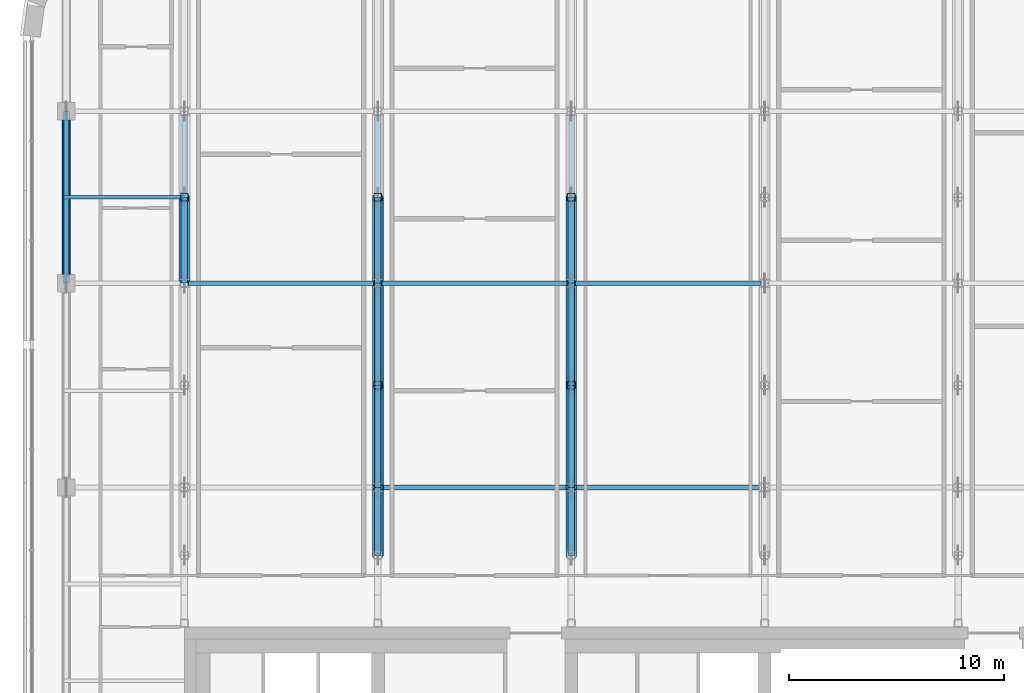
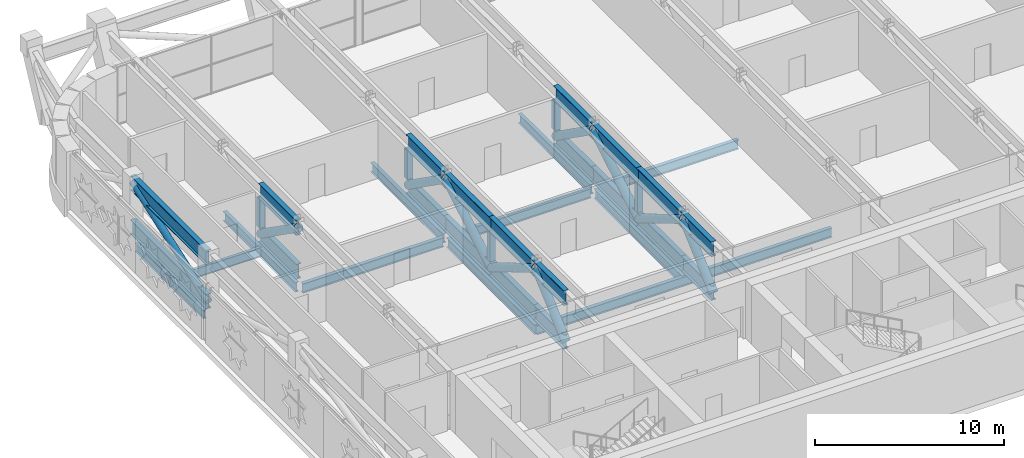
# One storey, part 6 of 28: 35 members, 11 beams.
"""IFC4 building model written with IfcOpenShell, lengths in metres."""

import ifcopenshell
import ifcopenshell.guid

model = None  # the IFC model being written
_history = None  # IfcOwnerHistory: only IFC2X3 demands one
_inside = {}  # id of a spatial element -> (the spatial element, [elements in it])
_under = {}  # id of a project, library or spatial element -> (it, [spatial elements below it])
_declared = {}  # id of a project -> (the project, [libraries it declares])
_typed = {}  # id of a type object -> (the type object, [elements of that type])
_made_of = {}  # id of a material, layer set ... -> (it, [elements and type objects made of it])


def new_model(schema):
    """Start an empty IFC model of exactly this schema.

    Asked for "IFC4X3", IfcOpenShell would pick the latest addendum, in which some entities
    have other attributes; the version numbers below select the first issue.
    IFC2X3 requires an IfcOwnerHistory on every rooted entity: one is made here for all.
    """
    global model, _history
    if schema == "IFC4X3":
        model = ifcopenshell.file(schema_version=(4, 3, 0, 0))
    else:
        model = ifcopenshell.file(schema=schema)
    _inside.clear()
    _under.clear()
    _declared.clear()
    _typed.clear()
    _made_of.clear()
    _history = None
    if model.schema == "IFC2X3":
        org = make("IfcOrganization", Name="unknown")
        user = make(
            "IfcPersonAndOrganization",
            ThePerson=make("IfcPerson", FamilyName="unknown"),
            TheOrganization=org,
        )
        app = make(
            "IfcApplication",
            ApplicationDeveloper=org,
            Version="unknown",
            ApplicationFullName="unknown",
            ApplicationIdentifier="unknown",
        )
        _history = make(
            "IfcOwnerHistory",
            OwningUser=user,
            OwningApplication=app,
            ChangeAction="ADDED",
            CreationDate=0,
        )
    return model


def make(cls, **values):
    """One entity of the class cls with the attributes given. An attribute that is None is left unset."""
    return model.create_entity(
        cls, **{name: value for name, value in values.items() if value is not None}
    )


def rooted(cls, **values):
    """An entity with a GlobalId (a new one), such as an element, a storey or a relation."""
    return make(cls, GlobalId=ifcopenshell.guid.new(), OwnerHistory=_history, **values)


def si_unit(unit_type, name, prefix=None):
    """IfcSIUnit, for example si_unit("LENGTHUNIT", "METRE", prefix="MILLI")."""
    return make("IfcSIUnit", UnitType=unit_type, Prefix=prefix, Name=name)


def assignment(units):
    """IfcUnitAssignment: the units of a project."""
    return None if units is None else make("IfcUnitAssignment", Units=units)


def point(xyz):
    """IfcCartesianPoint."""
    return None if xyz is None else make("IfcCartesianPoint", Coordinates=xyz)


def direction(xyz):
    """IfcDirection."""
    return None if xyz is None else make("IfcDirection", DirectionRatios=xyz)


def frame(location, z_axis=None, x_axis=None):
    """IfcAxis2Placement3D, a coordinate frame: its origin and axes. An axis left out is left unset."""
    return make(
        "IfcAxis2Placement3D",
        Location=point(location),
        Axis=direction(z_axis),
        RefDirection=direction(x_axis),
    )


def frame_2d(location, x_axis=None):
    """IfcAxis2Placement2D, a coordinate frame in the plane: its origin and x axis."""
    return make(
        "IfcAxis2Placement2D", Location=point(location), RefDirection=direction(x_axis)
    )


def origin():
    """The frame at (0, 0, 0) with its axes left unset."""
    return frame((0.0, 0.0, 0.0))


def origin_2d():
    """The frame at (0, 0) in the plane with its x axis left unset."""
    return frame_2d((0.0, 0.0))


def place(relative_to, where):
    """IfcLocalPlacement: puts the frame where relative to a parent placement (None: the world)."""
    return make(
        "IfcLocalPlacement", PlacementRelTo=relative_to, RelativePlacement=where
    )


def context(
    kind, dimensions, precision=None, world=None, true_north=None, identifier=None
):
    """IfcGeometricRepresentationContext, for example the 3D "Model" context."""
    return make(
        "IfcGeometricRepresentationContext",
        ContextIdentifier=identifier,
        ContextType=kind,
        CoordinateSpaceDimension=dimensions,
        Precision=precision,
        WorldCoordinateSystem=world,
        TrueNorth=true_north,
    )


def subcontext(parent, identifier, kind, view, scale=None):
    """IfcGeometricRepresentationSubContext, for example "Body" below "Model"."""
    return make(
        "IfcGeometricRepresentationSubContext",
        ContextIdentifier=identifier,
        ContextType=kind,
        ParentContext=parent,
        TargetScale=scale,
        TargetView=view,
    )


def project(units=None, contexts=None):
    """IfcProject with its units and contexts."""
    return rooted(
        "IfcProject",
        Name="project",
        RepresentationContexts=contexts,
        UnitsInContext=assignment(units),
    )


def spatial(cls, under=None, at=None, **own):
    """A site, building, storey or space (cls), placed at a placement, below another one or the project."""
    s = rooted(cls, ObjectPlacement=at, **own)
    if under is not None:
        _under.setdefault(under.id(), (under, []))[1].append(s)
    return s


def profile(cls, at=None, kind="AREA", **sizes):
    """A parametric profile (cls). Its sizes go by their IFC names, for example OverallWidth=200.0."""
    return make(cls, ProfileType=kind, Position=at, **sizes)


def hollow_rectangle(**sizes):
    """IfcRectangleHollowProfileDef."""
    return profile("IfcRectangleHollowProfileDef", **sizes)


def hollow_circle(**sizes):
    """IfcCircleHollowProfileDef."""
    return profile("IfcCircleHollowProfileDef", **sizes)


def i_section(**sizes):
    """IfcIShapeProfileDef."""
    return profile("IfcIShapeProfileDef", **sizes)


def extrude(swept, where, along, depth):
    """IfcExtrudedAreaSolid: the profile swept, set in the frame where, extruded along a direction by depth."""
    return make(
        "IfcExtrudedAreaSolid",
        SweptArea=swept,
        Position=where,
        ExtrudedDirection=direction(along),
        Depth=depth,
    )


def shape(context_of_items, identifier, shape_type, items):
    """IfcShapeRepresentation: the items that make up one representation, for example the "Body"."""
    return make(
        "IfcShapeRepresentation",
        ContextOfItems=context_of_items,
        RepresentationIdentifier=identifier,
        RepresentationType=shape_type,
        Items=items,
    )


def material(Name=None, Category=None):
    """IfcMaterial."""
    return make("IfcMaterial", Name=Name, Category=Category)


def material_profile(
    of_material, cross_section, Name=None, Category=None, Priority=None
):
    """IfcMaterialProfile: a cross section and its material."""
    return make(
        "IfcMaterialProfile",
        Name=Name,
        Material=of_material,
        Profile=cross_section,
        Priority=Priority,
        Category=Category,
    )


def profile_set(profiles, Name=None, composite=None):
    """IfcMaterialProfileSet."""
    return make(
        "IfcMaterialProfileSet",
        Name=Name,
        MaterialProfiles=profiles,
        CompositeProfile=composite,
    )


def made_of(thing, what):
    """Note that an element or type object is made of a material, layer set ...; save() writes the relation."""
    if what is not None:
        _made_of.setdefault(what.id(), (what, []))[1].append(thing)
    return thing


def type_object(cls, material=None, **own):
    """A type object (cls), such as IfcWallType, which elements share."""
    return made_of(rooted(cls, **own), material)


def element(
    cls,
    number,
    at=None,
    inside=None,
    cuts=None,
    type_object=None,
    material=None,
    context=None,
    identifier="Body",
    shape_type=None,
    held_by="IfcProductDefinitionShape",
    body=None,
    shapes=None,
    **own,
):
    """One element of the class cls, such as IfcWall. Its Tag is "e" and its number.

    at: its placement. inside: the storey or other place that contains it. cuts: it is an
    opening in that element (IfcRelVoidsElement). A single representation is given by context,
    identifier, shape_type and body (its items); several are given by shapes. held_by: the class
    of the entity that holds the representations. save() writes the other relations.
    """
    e = rooted(cls, Tag="e%d" % number, ObjectPlacement=at, **own)
    if body is not None:
        shapes = [shape(context, identifier, shape_type, body)]
    if shapes is not None:
        e.Representation = make(held_by, Representations=shapes)
    if inside is not None:
        _inside.setdefault(inside.id(), (inside, []))[1].append(e)
    if cuts is not None:
        rooted(
            "IfcRelVoidsElement", RelatingBuildingElement=cuts, RelatedOpeningElement=e
        )
    if type_object is not None:
        _typed.setdefault(type_object.id(), (type_object, []))[1].append(e)
    return made_of(e, material)


def aggregate(whole, parts):
    """IfcRelAggregates: a whole, such as a stair, and the parts it consists of."""
    return rooted("IfcRelAggregates", RelatingObject=whole, RelatedObjects=parts)


def save(model, path):
    """Write the relations noted so far, then the file.

    IfcRelAggregates (storeys below a building ...), IfcRelContainedInSpatialStructure (elements
    in a storey), IfcRelDefinesByType, IfcRelAssociatesMaterial and IfcRelDeclares: one each for
    every whole, place, type object, material and project.
    """
    for whole, parts in _under.values():
        aggregate(whole, parts)
    for where, things in _inside.values():
        rooted(
            "IfcRelContainedInSpatialStructure",
            RelatedElements=things,
            RelatingStructure=where,
        )
    for kind, things in _typed.values():
        rooted("IfcRelDefinesByType", RelatedObjects=things, RelatingType=kind)
    for what, things in _made_of.values():
        rooted("IfcRelAssociatesMaterial", RelatedObjects=things, RelatingMaterial=what)
    for by, libraries in _declared.values():
        rooted("IfcRelDeclares", RelatingContext=by, RelatedDefinitions=libraries)
    model.write(path)


model = new_model("IFC4")

# Units and contexts
model_context = context("Model", 3, precision=1e-05, world=origin(), true_north=direction((0.0, 1.0)))
body_context = subcontext(model_context, "Body", "Model", "MODEL_VIEW")
ifc_project = project(units=[si_unit("LENGTHUNIT", "METRE"), si_unit("AREAUNIT", "SQUARE_METRE"), si_unit("VOLUMEUNIT", "CUBIC_METRE"), si_unit("PLANEANGLEUNIT", "RADIAN"), si_unit("MASSUNIT", "GRAM", prefix="KILO")], contexts=[model_context])

# Site, building, storey
site_placement = place(None, origin())
site = spatial("IfcSite", under=ifc_project, at=site_placement, CompositionType="ELEMENT")
building_placement = place(site_placement, origin())
building = spatial("IfcBuilding", under=site, at=building_placement, Name="Zellij Exchange Tower", CompositionType="ELEMENT")
storey_placement = place(building_placement, frame((0.0, 0.0, 268.5)))
storey = spatial("IfcBuildingStorey", under=building, at=storey_placement, Name="L63", CompositionType="ELEMENT", Elevation=268.5)

# Beam
ifc_material_1 = material(Name="Structural steel ASTM A992 Gr 50", Category="steel")
ifc_material_profile_1 = material_profile(ifc_material_1, i_section(OverallWidth=0.177978515625, OverallDepth=0.599365234375, WebThickness=0.010009765625, FlangeThickness=0.012939453125, at=origin_2d()), Name="W24x55")
ifc_profile_set_1 = profile_set([ifc_material_profile_1], Name="Structural steel ASTM A992 Gr 50")
beam_type_1 = type_object("IfcBeamType", Name="STR-BEAM W24x55", PredefinedType="BEAM", material=ifc_profile_set_1)
beam_1_placement = place(storey_placement, frame((-32.6044921875, 18.0, -0.649658203125), z_axis=(1.0, 0.0, 0.0), x_axis=(0.0, 1.0, 0.0)))
element("IfcBeam", 1, at=beam_1_placement, inside=storey, type_object=beam_type_1, Name="B4", PredefinedType="BEAM", context=body_context, shape_type="SweptSolid", body=[
    extrude(i_section(OverallWidth=0.177978515625, OverallDepth=0.599365234375, WebThickness=0.010009765625, FlangeThickness=0.012939453125, at=origin_2d()), origin(), (0.0, 0.0, 1.0), 5.6044921875),
])

# Members
ifc_material_profile_2 = material_profile(ifc_material_1, i_section(OverallWidth=0.307373046875, OverallDepth=0.9423828125, WebThickness=0.022216796875, FlangeThickness=0.039794921875, at=origin_2d()), Name="W36x232")
ifc_profile_set_2 = profile_set([ifc_material_profile_2], Name="Structural steel ASTM A992 Gr 50")
member_type_1 = type_object("IfcMemberType", Name="STR-BELT TRUSS CHORD W36x232", PredefinedType="CHORD", material=ifc_profile_set_2)
for number, where, z_axis, x_axis, name in (
    (2, (-32.5, 14.0, 0.47119140625), (0.0, 1.0, 0.0), (-1.0, 0.0, 0.0), "BT1"),
    (3, (-32.5, 14.0, 3.308837890625), (0.0, 1.0, 0.0), (-1.0, 0.0, 0.0), "BT1"),
):
    element("IfcMember", number, at=place(storey_placement, frame(where, z_axis=z_axis, x_axis=x_axis)), inside=storey, type_object=member_type_1, Name=name, PredefinedType="CHORD", context=body_context, shape_type="SweptSolid", body=[
        extrude(i_section(OverallWidth=0.307373046875, OverallDepth=0.9423828125, WebThickness=0.022216796875, FlangeThickness=0.039794921875, at=origin_2d()), origin(), (0.0, 0.0, 1.0), 8.0),
    ])
ifc_material_2 = material(Name="Structural steel ASTM A500 Gr C", Category="steel")
ifc_material_profile_3 = material_profile(ifc_material_2, hollow_circle(Radius=0.203125, WallThickness=0.01171875, at=origin_2d()), Name="STR-BELT TRUSS DIAGONAL HSS16.000x0.500")
ifc_profile_set_3 = profile_set([ifc_material_profile_3], Name="Structural steel ASTM A500 Gr C")
member_type_2 = type_object("IfcMemberType", Name="STR-BELT TRUSS DIAGONAL HSS16.000x0.500", PredefinedType="BRACE", material=ifc_profile_set_3)
member_1_placement = place(storey_placement, frame((-32.5, 14.0, 0.47119140625), z_axis=(0.0, 0.942467213313, 0.334298596812), x_axis=(-1.0, 0.0, 0.0)))
element("IfcMember", 4, at=member_1_placement, inside=storey, type_object=member_type_2, Name="BT2", PredefinedType="BRACE", context=body_context, shape_type="SweptSolid", body=[
    extrude(hollow_circle(Radius=0.203125, WallThickness=0.01171875, at=origin_2d()), origin(), (0.0, 0.0, 1.0), 8.48828125),
])

# Beams
ifc_material_profile_4 = material_profile(ifc_material_1, i_section(OverallWidth=0.209228515625, OverallDepth=0.533447265625, WebThickness=0.01025390625, FlangeThickness=0.015625, at=origin_2d()), Name="W21x62")
ifc_profile_set_4 = profile_set([ifc_material_profile_4], Name="Structural steel ASTM A992 Gr 50")
beam_type_2 = type_object("IfcBeamType", Name="STR-EDGE GIRDER W21x62", PredefinedType="BEAM", material=ifc_profile_set_4)
beam_2_placement = place(storey_placement, frame((-32.5, 14.39990234375, -0.61669921875), z_axis=(0.0, 1.0, 0.0), x_axis=(-1.0, 0.0, 0.0)))
element("IfcBeam", 5, at=beam_2_placement, inside=storey, type_object=beam_type_2, Name="EB3", PredefinedType="BEAM", context=body_context, shape_type="SweptSolid", body=[
    extrude(i_section(OverallWidth=0.209228515625, OverallDepth=0.533447265625, WebThickness=0.01025390625, FlangeThickness=0.015625, at=origin_2d()), origin(), (0.0, 0.0, 1.0), 7.2001953125),
])
ifc_material_profile_5 = material_profile(ifc_material_1, i_section(OverallWidth=0.228271484375, OverallDepth=0.607177734375, WebThickness=0.01123046875, FlangeThickness=0.017333984375, at=origin_2d()), Name="W24x76")
ifc_profile_set_5 = profile_set([ifc_material_profile_5], Name="Structural steel ASTM A992 Gr 50")
beam_type_3 = type_object("IfcBeamType", Name="STR-GIRDER W24x76", PredefinedType="BEAM", material=ifc_profile_set_5)
beam_3_placement = place(storey_placement, frame((-18.0, 4.5, -0.653564453125), z_axis=(1.0, 0.0, 0.0), x_axis=(0.0, 1.0, 0.0)))
element("IfcBeam", 6, at=beam_3_placement, inside=storey, type_object=beam_type_3, Name="G2", PredefinedType="BEAM", context=body_context, shape_type="SweptSolid", body=[
    extrude(i_section(OverallWidth=0.228271484375, OverallDepth=0.607177734375, WebThickness=0.01123046875, FlangeThickness=0.017333984375, at=origin_2d()), origin(), (0.0, 0.0, 1.0), 18.0),
])
for number, where, z_axis, x_axis, name in (
    (7, (-26.800537109375, 14.0, -0.653564453125), (1.0, 0.0, 0.0), (0.0, 1.0, 0.0), "G2"),
    (8, (-17.800537109375, 14.0, -0.653564453125), (1.0, 0.0, 0.0), (0.0, 1.0, 0.0), "G2"),
    (9, (-8.800537109375, 14.0, -0.653564453125), (1.0, 0.0, 0.0), (0.0, 1.0, 0.0), "G2"),
):
    element("IfcBeam", number, at=place(storey_placement, frame(where, z_axis=z_axis, x_axis=x_axis)), inside=storey, type_object=beam_type_3, Name=name, PredefinedType="BEAM", context=body_context, shape_type="SweptSolid", body=[
        extrude(i_section(OverallWidth=0.228271484375, OverallDepth=0.607177734375, WebThickness=0.01123046875, FlangeThickness=0.017333984375, at=origin_2d()), origin(), (0.0, 0.0, 1.0), 8.60107421875),
    ])
beam_4_placement = place(storey_placement, frame((-27.0, 14.193115234375, -0.653564453125), z_axis=(0.0, 1.0, 0.0), x_axis=(-1.0, 0.0, 0.0)))
element("IfcBeam", 10, at=beam_4_placement, inside=storey, type_object=beam_type_3, Name="G2", PredefinedType="BEAM", context=body_context, shape_type="SweptSolid", body=[
    extrude(i_section(OverallWidth=0.228271484375, OverallDepth=0.607177734375, WebThickness=0.01123046875, FlangeThickness=0.017333984375, at=origin_2d()), origin(), (0.0, 0.0, 1.0), 7.61376953125),
])
beam_5_placement = place(storey_placement, frame((-18.0, 4.5, -0.653564453125), z_axis=(0.0, 1.0, 0.0), x_axis=(-1.0, 0.0, 0.0)))
element("IfcBeam", 11, at=beam_5_placement, inside=storey, type_object=beam_type_3, Name="G2", PredefinedType="BEAM", context=body_context, shape_type="SweptSolid", body=[
    extrude(i_section(OverallWidth=0.228271484375, OverallDepth=0.607177734375, WebThickness=0.01123046875, FlangeThickness=0.017333984375, at=origin_2d()), origin(), (0.0, 0.0, 1.0), 9.306884765625),
])
beam_6_placement = place(storey_placement, frame((-18.0, 14.193115234375, -0.653564453125), z_axis=(0.0, 1.0, 0.0), x_axis=(-1.0, 0.0, 0.0)))
element("IfcBeam", 12, at=beam_6_placement, inside=storey, type_object=beam_type_3, Name="G2", PredefinedType="BEAM", context=body_context, shape_type="SweptSolid", body=[
    extrude(i_section(OverallWidth=0.228271484375, OverallDepth=0.607177734375, WebThickness=0.01123046875, FlangeThickness=0.017333984375, at=origin_2d()), origin(), (0.0, 0.0, 1.0), 7.61376953125),
])
beam_7_placement = place(storey_placement, frame((-9.0, 4.5, -0.653564453125), z_axis=(0.0, 1.0, 0.0), x_axis=(-1.0, 0.0, 0.0)))
element("IfcBeam", 13, at=beam_7_placement, inside=storey, type_object=beam_type_3, Name="G2", PredefinedType="BEAM", context=body_context, shape_type="SweptSolid", body=[
    extrude(i_section(OverallWidth=0.228271484375, OverallDepth=0.607177734375, WebThickness=0.01123046875, FlangeThickness=0.017333984375, at=origin_2d()), origin(), (0.0, 0.0, 1.0), 9.306884765625),
])
beam_8_placement = place(storey_placement, frame((-9.0, 14.193115234375, -0.653564453125), z_axis=(0.0, 1.0, 0.0), x_axis=(-1.0, 0.0, 0.0)))
element("IfcBeam", 14, at=beam_8_placement, inside=storey, type_object=beam_type_3, Name="G2", PredefinedType="BEAM", context=body_context, shape_type="SweptSolid", body=[
    extrude(i_section(OverallWidth=0.228271484375, OverallDepth=0.607177734375, WebThickness=0.01123046875, FlangeThickness=0.017333984375, at=origin_2d()), origin(), (0.0, 0.0, 1.0), 7.61376953125),
])

# Members
ifc_material_3 = material(Name="Structural steel ASTM A913 Gr 65", Category="steel")
ifc_material_profile_6 = material_profile(ifc_material_3, i_section(OverallWidth=0.2998046875, OverallDepth=0.965087890625, WebThickness=0.01904296875, FlangeThickness=0.0361328125, at=origin_2d()), Name="W40x249")
ifc_profile_set_6 = profile_set([ifc_material_profile_6], Name="Structural steel ASTM A913 Gr 65")
member_type_3 = type_object("IfcMemberType", Name="STR-OUTRIGGER TRUSS CHORD W40x249", PredefinedType="CHORD", material=ifc_profile_set_6)
for number, where, z_axis, x_axis, name in (
    (15, (-27.0, 14.0, 3.29736328125), (0.0, 1.0, 0.0), (-1.0, 0.0, 0.0), "OT1"),
    (16, (-27.0, 14.0, 0.482666015625), (0.0, 1.0, 0.0), (-1.0, 0.0, 0.0), "OT1"),
):
    element("IfcMember", number, at=place(storey_placement, frame(where, z_axis=z_axis, x_axis=x_axis)), inside=storey, type_object=member_type_3, Name=name, PredefinedType="CHORD", context=body_context, shape_type="SweptSolid", body=[
        extrude(i_section(OverallWidth=0.2998046875, OverallDepth=0.965087890625, WebThickness=0.01904296875, FlangeThickness=0.0361328125, at=origin_2d()), origin(), (0.0, 0.0, 1.0), 4.0),
    ])
for number, where, z_axis, x_axis, name in (
    (17, (-18.0, 1.339111328125, 3.29736328125), (0.0, 1.0, 0.0), (-1.0, 0.0, 0.0), "OT1"),
    (18, (-18.0, 1.339111328125, 0.482666015625), (0.0, 1.0, 0.0), (-1.0, 0.0, 0.0), "OT1"),
):
    element("IfcMember", number, at=place(storey_placement, frame(where, z_axis=z_axis, x_axis=x_axis)), inside=storey, type_object=member_type_3, Name=name, PredefinedType="CHORD", context=body_context, shape_type="SweptSolid", body=[
        extrude(i_section(OverallWidth=0.2998046875, OverallDepth=0.965087890625, WebThickness=0.01904296875, FlangeThickness=0.0361328125, at=origin_2d()), origin(), (0.0, 0.0, 1.0), 3.160888671875),
    ])
for number, where, z_axis, x_axis, name in (
    (19, (-18.0, 4.5, 3.29736328125), (0.0, 1.0, 0.0), (-1.0, 0.0, 0.0), "OT1"),
    (20, (-18.0, 4.5, 0.482666015625), (0.0, 1.0, 0.0), (-1.0, 0.0, 0.0), "OT1"),
    (21, (-18.0, 9.25, 3.29736328125), (0.0, 1.0, 0.0), (-1.0, 0.0, 0.0), "OT1"),
    (22, (-18.0, 9.25, 0.482666015625), (0.0, 1.0, 0.0), (-1.0, 0.0, 0.0), "OT1"),
):
    element("IfcMember", number, at=place(storey_placement, frame(where, z_axis=z_axis, x_axis=x_axis)), inside=storey, type_object=member_type_3, Name=name, PredefinedType="CHORD", context=body_context, shape_type="SweptSolid", body=[
        extrude(i_section(OverallWidth=0.2998046875, OverallDepth=0.965087890625, WebThickness=0.01904296875, FlangeThickness=0.0361328125, at=origin_2d()), origin(), (0.0, 0.0, 1.0), 4.75),
    ])
for number, where, z_axis, x_axis, name in (
    (23, (-18.0, 14.0, 3.29736328125), (0.0, 1.0, 0.0), (-1.0, 0.0, 0.0), "OT1"),
    (24, (-18.0, 14.0, 0.482666015625), (0.0, 1.0, 0.0), (-1.0, 0.0, 0.0), "OT1"),
):
    element("IfcMember", number, at=place(storey_placement, frame(where, z_axis=z_axis, x_axis=x_axis)), inside=storey, type_object=member_type_3, Name=name, PredefinedType="CHORD", context=body_context, shape_type="SweptSolid", body=[
        extrude(i_section(OverallWidth=0.2998046875, OverallDepth=0.965087890625, WebThickness=0.01904296875, FlangeThickness=0.0361328125, at=origin_2d()), origin(), (0.0, 0.0, 1.0), 4.0),
    ])
for number, where, z_axis, x_axis, name in (
    (25, (-9.0, 1.339111328125, 3.29736328125), (0.0, 1.0, 0.0), (-1.0, 0.0, 0.0), "OT1"),
    (26, (-9.0, 1.339111328125, 0.482666015625), (0.0, 1.0, 0.0), (-1.0, 0.0, 0.0), "OT1"),
):
    element("IfcMember", number, at=place(storey_placement, frame(where, z_axis=z_axis, x_axis=x_axis)), inside=storey, type_object=member_type_3, Name=name, PredefinedType="CHORD", context=body_context, shape_type="SweptSolid", body=[
        extrude(i_section(OverallWidth=0.2998046875, OverallDepth=0.965087890625, WebThickness=0.01904296875, FlangeThickness=0.0361328125, at=origin_2d()), origin(), (0.0, 0.0, 1.0), 3.160888671875),
    ])
for number, where, z_axis, x_axis, name in (
    (27, (-9.0, 4.5, 3.29736328125), (0.0, 1.0, 0.0), (-1.0, 0.0, 0.0), "OT1"),
    (28, (-9.0, 4.5, 0.482666015625), (0.0, 1.0, 0.0), (-1.0, 0.0, 0.0), "OT1"),
    (29, (-9.0, 9.25, 3.29736328125), (0.0, 1.0, 0.0), (-1.0, 0.0, 0.0), "OT1"),
    (30, (-9.0, 9.25, 0.482666015625), (0.0, 1.0, 0.0), (-1.0, 0.0, 0.0), "OT1"),
):
    element("IfcMember", number, at=place(storey_placement, frame(where, z_axis=z_axis, x_axis=x_axis)), inside=storey, type_object=member_type_3, Name=name, PredefinedType="CHORD", context=body_context, shape_type="SweptSolid", body=[
        extrude(i_section(OverallWidth=0.2998046875, OverallDepth=0.965087890625, WebThickness=0.01904296875, FlangeThickness=0.0361328125, at=origin_2d()), origin(), (0.0, 0.0, 1.0), 4.75),
    ])
for number, where, z_axis, x_axis, name in (
    (31, (-9.0, 14.0, 3.29736328125), (0.0, 1.0, 0.0), (-1.0, 0.0, 0.0), "OT1"),
    (32, (-9.0, 14.0, 0.482666015625), (0.0, 1.0, 0.0), (-1.0, 0.0, 0.0), "OT1"),
):
    element("IfcMember", number, at=place(storey_placement, frame(where, z_axis=z_axis, x_axis=x_axis)), inside=storey, type_object=member_type_3, Name=name, PredefinedType="CHORD", context=body_context, shape_type="SweptSolid", body=[
        extrude(i_section(OverallWidth=0.2998046875, OverallDepth=0.965087890625, WebThickness=0.01904296875, FlangeThickness=0.0361328125, at=origin_2d()), origin(), (0.0, 0.0, 1.0), 4.0),
    ])
ifc_material_profile_7 = material_profile(ifc_material_2, hollow_circle(Radius=0.25390625, WallThickness=0.01171875, at=origin_2d()), Name="STR-OUTRIGGER TRUSS DIAGONAL HSS20.000x0.500")
ifc_profile_set_7 = profile_set([ifc_material_profile_7], Name="Structural steel ASTM A500 Gr C")
member_type_4 = type_object("IfcMemberType", Name="STR-OUTRIGGER TRUSS DIAGONAL HSS20.000x0.500", PredefinedType="BRACE", material=ifc_profile_set_7)
member_2_placement = place(storey_placement, frame((-27.0, 14.0, 3.29736328125), z_axis=(0.0, 0.8178177303, -0.575477332314), x_axis=(-1.0, 0.0, 0.0)))
element("IfcMember", 33, at=member_2_placement, inside=storey, type_object=member_type_4, Name="OT2", PredefinedType="BRACE", context=body_context, shape_type="SweptSolid", body=[
    extrude(hollow_circle(Radius=0.25390625, WallThickness=0.01171875, at=origin_2d()), origin(), (0.0, 0.0, 1.0), 4.89111328125),
])
member_3_placement = place(storey_placement, frame((-18.0, 1.339111328125, 0.482666015625), z_axis=(0.0, 0.74682026199, 0.665025936548), x_axis=(-1.0, 0.0, 0.0)))
element("IfcMember", 34, at=member_3_placement, inside=storey, type_object=member_type_4, Name="OT2", PredefinedType="BRACE", context=body_context, shape_type="SweptSolid", body=[
    extrude(hollow_circle(Radius=0.25390625, WallThickness=0.01171875, at=origin_2d()), origin(), (0.0, 0.0, 1.0), 4.232421875),
])
for number, where, z_axis, x_axis, name in (
    (35, (-18.0, 4.5, 3.29736328125), (0.0, 0.860300870846, -0.509786633428), (-1.0, 0.0, 0.0), "OT2"),
    (36, (-18.0, 9.25, 0.482666015625), (0.0, 0.860300870846, 0.509786633428), (-1.0, 0.0, 0.0), "OT2"),
):
    element("IfcMember", number, at=place(storey_placement, frame(where, z_axis=z_axis, x_axis=x_axis)), inside=storey, type_object=member_type_4, Name=name, PredefinedType="BRACE", context=body_context, shape_type="SweptSolid", body=[
        extrude(hollow_circle(Radius=0.25390625, WallThickness=0.01171875, at=origin_2d()), origin(), (0.0, 0.0, 1.0), 5.521240234375),
    ])
member_4_placement = place(storey_placement, frame((-18.0, 14.0, 3.29736328125), z_axis=(0.0, 0.8178177303, -0.575477332314), x_axis=(-1.0, 0.0, 0.0)))
element("IfcMember", 37, at=member_4_placement, inside=storey, type_object=member_type_4, Name="OT2", PredefinedType="BRACE", context=body_context, shape_type="SweptSolid", body=[
    extrude(hollow_circle(Radius=0.25390625, WallThickness=0.01171875, at=origin_2d()), origin(), (0.0, 0.0, 1.0), 4.89111328125),
])
member_5_placement = place(storey_placement, frame((-9.0, 1.339111328125, 0.482666015625), z_axis=(0.0, 0.74682026199, 0.665025936548), x_axis=(-1.0, 0.0, 0.0)))
element("IfcMember", 38, at=member_5_placement, inside=storey, type_object=member_type_4, Name="OT2", PredefinedType="BRACE", context=body_context, shape_type="SweptSolid", body=[
    extrude(hollow_circle(Radius=0.25390625, WallThickness=0.01171875, at=origin_2d()), origin(), (0.0, 0.0, 1.0), 4.232421875),
])
for number, where, z_axis, x_axis, name in (
    (39, (-9.0, 4.5, 3.29736328125), (0.0, 0.860300870846, -0.509786633428), (-1.0, 0.0, 0.0), "OT2"),
    (40, (-9.0, 9.25, 0.482666015625), (0.0, 0.860300870846, 0.509786633428), (-1.0, 0.0, 0.0), "OT2"),
):
    element("IfcMember", number, at=place(storey_placement, frame(where, z_axis=z_axis, x_axis=x_axis)), inside=storey, type_object=member_type_4, Name=name, PredefinedType="BRACE", context=body_context, shape_type="SweptSolid", body=[
        extrude(hollow_circle(Radius=0.25390625, WallThickness=0.01171875, at=origin_2d()), origin(), (0.0, 0.0, 1.0), 5.521240234375),
    ])
member_6_placement = place(storey_placement, frame((-9.0, 14.0, 3.29736328125), z_axis=(0.0, 0.8178177303, -0.575477332314), x_axis=(-1.0, 0.0, 0.0)))
element("IfcMember", 41, at=member_6_placement, inside=storey, type_object=member_type_4, Name="OT2", PredefinedType="BRACE", context=body_context, shape_type="SweptSolid", body=[
    extrude(hollow_circle(Radius=0.25390625, WallThickness=0.01171875, at=origin_2d()), origin(), (0.0, 0.0, 1.0), 4.89111328125),
])
ifc_material_profile_8 = material_profile(ifc_material_2, hollow_rectangle(XDim=0.355712890625, YDim=0.355712890625, WallThickness=0.01171875, InnerFilletRadius=0.01171875, OuterFilletRadius=0.023681640625, at=origin_2d()), Name="STR-OUTRIGGER TRUSS POST HSS14x14x1/2")
ifc_profile_set_8 = profile_set([ifc_material_profile_8], Name="Structural steel ASTM A500 Gr C")
member_type_5 = type_object("IfcMemberType", Name="STR-OUTRIGGER TRUSS POST HSS14x14x1/2", PredefinedType="POST", material=ifc_profile_set_8)
for number, where, z_axis, x_axis, name in (
    (42, (-27.0, 18.0, 0.965087890625), (0.0, 0.0, 1.0), (1.0, 0.0, 0.0), "OT3"),
    (43, (-18.0, 9.25, 0.965087890625), (0.0, 0.0, 1.0), (1.0, 0.0, 0.0), "OT3"),
    (44, (-18.0, 18.0, 0.965087890625), (0.0, 0.0, 1.0), (1.0, 0.0, 0.0), "OT3"),
    (45, (-9.0, 9.25, 0.965087890625), (0.0, 0.0, 1.0), (1.0, 0.0, 0.0), "OT3"),
    (46, (-9.0, 18.0, 0.965087890625), (0.0, 0.0, 1.0), (1.0, 0.0, 0.0), "OT3"),
):
    element("IfcMember", number, at=place(storey_placement, frame(where, z_axis=z_axis, x_axis=x_axis)), inside=storey, type_object=member_type_5, Name=name, PredefinedType="POST", context=body_context, shape_type="SweptSolid", body=[
        extrude(hollow_rectangle(XDim=0.355712890625, YDim=0.355712890625, WallThickness=0.01171875, InnerFilletRadius=0.01171875, OuterFilletRadius=0.023681640625, at=origin_2d()), origin(), (0.0, 0.0, 1.0), 1.849609375),
    ])

save(model, "model.ifc")
